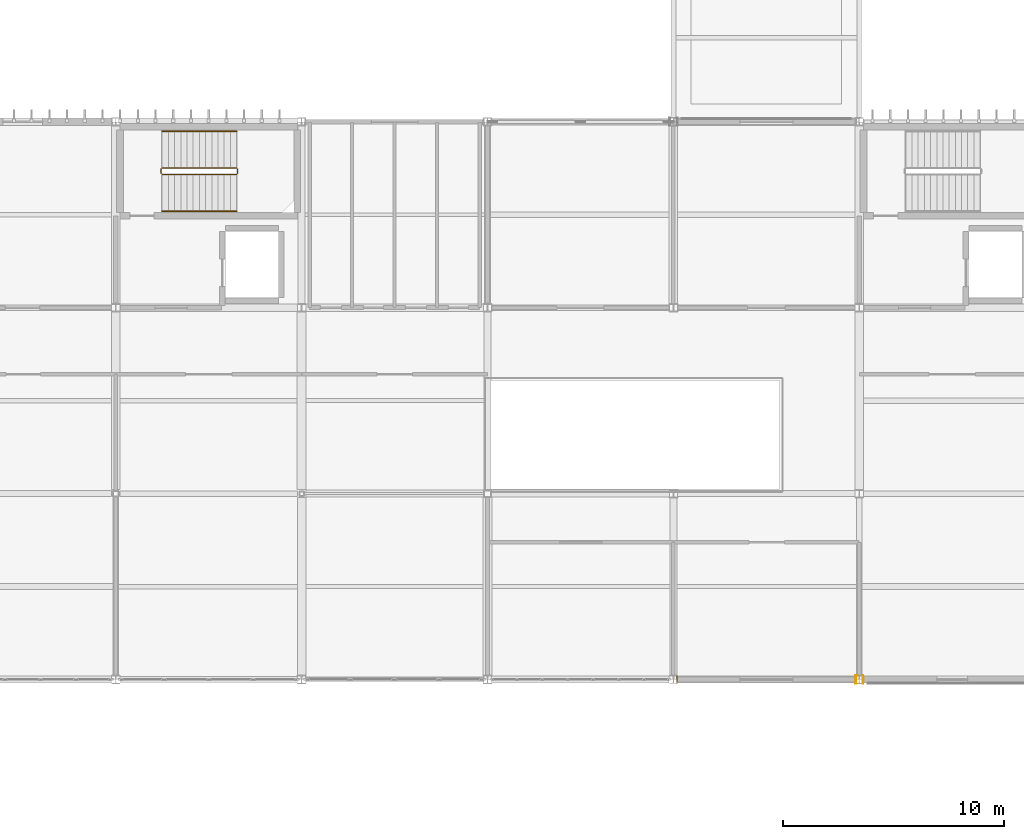
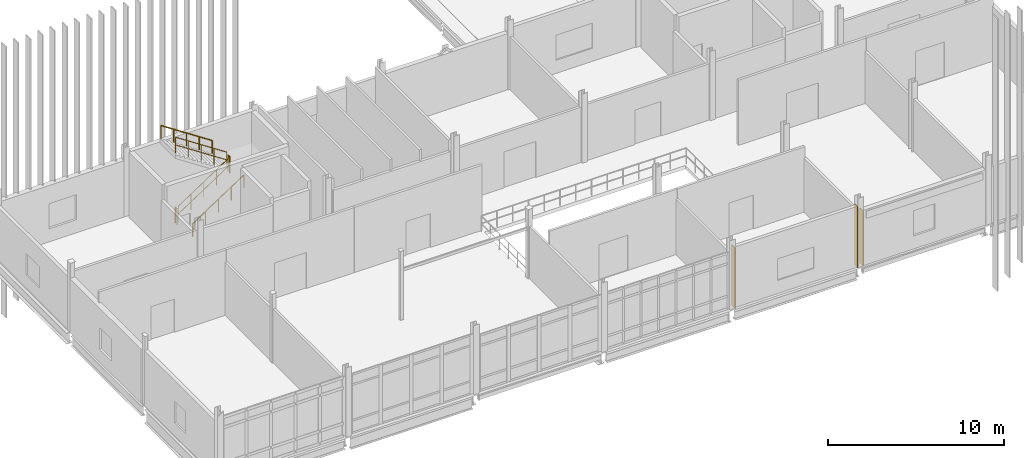
# One storey, part 59 of 72: 6 railings, 3 coverings.
"""IFC4 building model written with IfcOpenShell, lengths in metres."""

from ifc_helpers import new_model, si_unit, direction, frame, origin, origin_2d, place, context, subcontext, project, spatial, polyline, circle, outline, extrude, material, layer, layer_set, type_object, element, save


model = new_model("IFC4")

# Units and contexts
model_context = context("Model", 3, precision=1e-05, world=origin(), true_north=direction((0.0, 1.0)))
body_context = subcontext(model_context, "Body", "Model", "MODEL_VIEW")
ifc_project = project(units=[si_unit("LENGTHUNIT", "METRE"), si_unit("AREAUNIT", "SQUARE_METRE"), si_unit("VOLUMEUNIT", "CUBIC_METRE"), si_unit("PLANEANGLEUNIT", "RADIAN"), si_unit("MASSUNIT", "GRAM", prefix="KILO")], contexts=[model_context])

# Site, building, storey
site_placement = place(None, origin())
site = spatial("IfcSite", under=ifc_project, at=site_placement, CompositionType="ELEMENT")
building_placement = place(site_placement, origin())
building = spatial("IfcBuilding", under=site, at=building_placement, Name="Calvrana Isthmian Art Gallery", CompositionType="ELEMENT")
storey_placement = place(building_placement, frame((0.0, 0.0, 15.0)))
storey = spatial("IfcBuildingStorey", under=building, at=storey_placement, Name="L03", CompositionType="ELEMENT", Elevation=15.0)

# Coverings
ifc_material_1 = material(Name="Polychrome glazed terracotta", Category="masonry")
ifc_layer = layer(ifc_material_1, 0.0400390625, Name="Polychrome glazed terracotta")
ifc_layer_set = layer_set([ifc_layer], Name="Polychrome glazed terracotta")
covering_type = type_object("IfcCoveringType", Name="COV-CLAD-TERRA", PredefinedType="CLADDING", material=ifc_layer_set)
covering_1_placement = place(storey_placement, origin())
element("IfcCovering", 1, at=covering_1_placement, inside=storey, type_object=covering_type, Name="Column pocket weather closure L03-07-03-W", PredefinedType="CLADDING", context=body_context, shape_type="SweptSolid", body=[
    extrude(outline(polyline([(55.343994140625, 21.427001953125), (55.384033203125, 21.427001953125), (55.384033203125, 21.77294921875), (55.343994140625, 21.77294921875), (55.343994140625, 21.427001953125)])), origin(), (0.0, 0.0, 1.0), 4.215087890625),
])
covering_2_placement = place(storey_placement, origin())
element("IfcCovering", 2, at=covering_2_placement, inside=storey, type_object=covering_type, Name="Column pocket weather closure L03-07-03-E", PredefinedType="CLADDING", context=body_context, shape_type="SweptSolid", body=[
    extrude(outline(polyline([(63.41357421875, 21.41845703125), (63.45361328125, 21.41845703125), (63.45361328125, 21.781494140625), (63.41357421875, 21.781494140625), (63.41357421875, 21.41845703125)])), origin(), (0.0, 0.0, 1.0), 4.215087890625),
])
covering_3_placement = place(storey_placement, origin())
element("IfcCovering", 3, at=covering_3_placement, inside=storey, type_object=covering_type, Name="Column pocket weather closure L03-08-03-W", PredefinedType="CLADDING", context=body_context, shape_type="SweptSolid", body=[
    extrude(outline(polyline([(63.74658203125, 21.41845703125), (63.78662109375, 21.41845703125), (63.78662109375, 21.781494140625), (63.74658203125, 21.781494140625), (63.74658203125, 21.41845703125)])), origin(), (0.0, 0.0, 1.0), 3.826904296875),
])

# Railings
ifc_material_2 = material(Name="Stainless steel 316", Category="steel")
railing_type_1 = type_object("IfcRailingType", Name="RL-GUARD-1120", PredefinedType="BALUSTRADE", material=ifc_material_2)
railing_1_placement = place(storey_placement, frame((32.10009765625, 44.419921875, 0.1845703125)))
element("IfcRailing", 4, at=railing_1_placement, inside=storey, type_object=railing_type_1, Name="Stair ST-1 guard L03-1", PredefinedType="BALUSTRADE", context=body_context, shape_type="SweptSolid", body=[
    extrude(circle(Radius=0.02392578125, at=origin_2d()), frame((0.0, 0.0, 1.09619140625), z_axis=(0.834858096282, 0.0, 0.550465220583), x_axis=(0.0, 1.0, 0.0)), (0.0, 0.0, 1.0), 4.0244140625),
    extrude(circle(Radius=0.02392578125, at=origin_2d()), frame((0.0, 0.0, 0.56005859375), z_axis=(0.834858096282, 0.0, 0.550465220583), x_axis=(0.0, 1.0, 0.0)), (0.0, 0.0, 1.0), 4.0244140625),
    extrude(circle(Radius=0.02099609375, at=origin_2d()), origin(), (0.0, 0.0, 1.0), 1.072021484375),
    extrude(circle(Radius=0.02099609375, at=origin_2d()), frame((0.83984375, 0.0, 0.5537109375)), (0.0, 0.0, 1.0), 1.072021484375),
    extrude(circle(Radius=0.02099609375, at=origin_2d()), frame((1.679931640625, 0.0, 1.107666015625)), (0.0, 0.0, 1.0), 1.072021484375),
    extrude(circle(Radius=0.02099609375, at=origin_2d()), frame((2.52001953125, 0.0, 1.66162109375)), (0.0, 0.0, 1.0), 1.072021484375),
    extrude(circle(Radius=0.02099609375, at=origin_2d()), frame((3.35986328125, 0.0, 2.21533203125)), (0.0, 0.0, 1.0), 1.072021484375),
])
railing_2_placement = place(storey_placement, frame((35.510009765625, 44.469970703125, 2.39990234375)))
element("IfcRailing", 5, at=railing_2_placement, inside=storey, type_object=railing_type_1, Name="Stair ST-1 guard L03-2", PredefinedType="BALUSTRADE", context=body_context, shape_type="SweptSolid", body=[
    extrude(circle(Radius=0.02392578125, at=origin_2d()), frame((0.0, 0.0, 1.09619140625), z_axis=(0.0, 1.0, 0.0), x_axis=(-1.0, 0.0, 0.0)), (0.0, 0.0, 1.0), 0.199951171875),
    extrude(circle(Radius=0.02392578125, at=origin_2d()), frame((0.0, 0.0, 0.56005859375), z_axis=(0.0, 1.0, 0.0), x_axis=(-1.0, 0.0, 0.0)), (0.0, 0.0, 1.0), 0.199951171875),
    extrude(circle(Radius=0.02099609375, at=origin_2d()), origin(), (0.0, 0.0, 1.0), 1.072021484375),
    extrude(circle(Radius=0.02099609375, at=origin_2d()), frame((0.0, 0.199951171875, 0.0)), (0.0, 0.0, 1.0), 1.072021484375),
])
railing_3_placement = place(storey_placement, frame((35.4599609375, 44.719970703125, 2.584716796875)))
element("IfcRailing", 6, at=railing_3_placement, inside=storey, type_object=railing_type_1, Name="Stair ST-1 guard L03-3", PredefinedType="BALUSTRADE", context=body_context, shape_type="SweptSolid", body=[
    extrude(circle(Radius=0.02392578125, at=origin_2d()), frame((0.0, 0.0, 1.09619140625), z_axis=(-0.834858096282, 0.0, 0.550465220583), x_axis=(0.0, -1.0, 0.0)), (0.0, 0.0, 1.0), 4.0244140625),
    extrude(circle(Radius=0.02392578125, at=origin_2d()), frame((0.0, 0.0, 0.56005859375), z_axis=(-0.834858096282, 0.0, 0.550465220583), x_axis=(0.0, -1.0, 0.0)), (0.0, 0.0, 1.0), 4.0244140625),
    extrude(circle(Radius=0.02099609375, at=origin_2d()), origin(), (0.0, 0.0, 1.0), 1.072021484375),
    extrude(circle(Radius=0.02099609375, at=origin_2d()), frame((-0.83984375, 0.0, 0.5537109375)), (0.0, 0.0, 1.0), 1.072021484375),
    extrude(circle(Radius=0.02099609375, at=origin_2d()), frame((-1.679931640625, 0.0, 1.107666015625)), (0.0, 0.0, 1.0), 1.072021484375),
    extrude(circle(Radius=0.02099609375, at=origin_2d()), frame((-2.52001953125, 0.0, 1.66162109375)), (0.0, 0.0, 1.0), 1.072021484375),
    extrude(circle(Radius=0.02099609375, at=origin_2d()), frame((-3.35986328125, 0.0, 2.21533203125)), (0.0, 0.0, 1.0), 1.072021484375),
])
railing_4_placement = place(storey_placement, frame((32.050048828125, 44.469970703125, 0.0)))
element("IfcRailing", 7, at=railing_4_placement, inside=storey, type_object=railing_type_1, Name="Stair ST-1 guard L03-4", PredefinedType="BALUSTRADE", context=body_context, shape_type="SweptSolid", body=[
    extrude(circle(Radius=0.02392578125, at=origin_2d()), frame((0.0, 0.0, 1.09619140625), z_axis=(0.0, 1.0, 0.0), x_axis=(-1.0, 0.0, 0.0)), (0.0, 0.0, 1.0), 0.199951171875),
    extrude(circle(Radius=0.02392578125, at=origin_2d()), frame((0.0, 0.0, 0.56005859375), z_axis=(0.0, 1.0, 0.0), x_axis=(-1.0, 0.0, 0.0)), (0.0, 0.0, 1.0), 0.199951171875),
    extrude(circle(Radius=0.02099609375, at=origin_2d()), origin(), (0.0, 0.0, 1.0), 1.072021484375),
    extrude(circle(Radius=0.02099609375, at=origin_2d()), frame((0.0, 0.199951171875, 0.0)), (0.0, 0.0, 1.0), 1.072021484375),
])
railing_type_2 = type_object("IfcRailingType", Name="RL-HAND-920", PredefinedType="HANDRAIL", material=ifc_material_2)
railing_5_placement = place(storey_placement, frame((32.10009765625, 42.760009765625, 0.1845703125)))
element("IfcRailing", 8, at=railing_5_placement, inside=storey, type_object=railing_type_2, Name="Stair ST-1 handrail L03-1", PredefinedType="HANDRAIL", context=body_context, shape_type="SweptSolid", body=[
    extrude(circle(Radius=0.02392578125, at=origin_2d()), frame((0.0, 0.0, 0.89599609375), z_axis=(0.834858096282, 0.0, 0.550465220583), x_axis=(0.0, 1.0, 0.0)), (0.0, 0.0, 1.0), 4.0244140625),
    extrude(circle(Radius=0.02099609375, at=origin_2d()), origin(), (0.0, 0.0, 1.0), 0.871826171875),
    extrude(circle(Radius=0.02099609375, at=origin_2d()), frame((0.83984375, 0.0, 0.5537109375)), (0.0, 0.0, 1.0), 0.871826171875),
    extrude(circle(Radius=0.02099609375, at=origin_2d()), frame((1.679931640625, 0.0, 1.107666015625)), (0.0, 0.0, 1.0), 0.871826171875),
    extrude(circle(Radius=0.02099609375, at=origin_2d()), frame((2.52001953125, 0.0, 1.66162109375)), (0.0, 0.0, 1.0), 0.871826171875),
    extrude(circle(Radius=0.02099609375, at=origin_2d()), frame((3.35986328125, 0.0, 2.21533203125)), (0.0, 0.0, 1.0), 0.871826171875),
])
railing_6_placement = place(storey_placement, frame((35.4599609375, 46.3798828125, 2.584716796875)))
element("IfcRailing", 9, at=railing_6_placement, inside=storey, type_object=railing_type_2, Name="Stair ST-1 handrail L03-2", PredefinedType="HANDRAIL", context=body_context, shape_type="SweptSolid", body=[
    extrude(circle(Radius=0.02392578125, at=origin_2d()), frame((0.0, 0.0, 0.89599609375), z_axis=(-0.834858096282, 0.0, 0.550465220583), x_axis=(0.0, -1.0, 0.0)), (0.0, 0.0, 1.0), 4.0244140625),
    extrude(circle(Radius=0.02099609375, at=origin_2d()), origin(), (0.0, 0.0, 1.0), 0.871826171875),
    extrude(circle(Radius=0.02099609375, at=origin_2d()), frame((-0.83984375, 0.0, 0.5537109375)), (0.0, 0.0, 1.0), 0.871826171875),
    extrude(circle(Radius=0.02099609375, at=origin_2d()), frame((-1.679931640625, 0.0, 1.107666015625)), (0.0, 0.0, 1.0), 0.871826171875),
    extrude(circle(Radius=0.02099609375, at=origin_2d()), frame((-2.52001953125, 0.0, 1.66162109375)), (0.0, 0.0, 1.0), 0.871826171875),
    extrude(circle(Radius=0.02099609375, at=origin_2d()), frame((-3.35986328125, 0.0, 2.21533203125)), (0.0, 0.0, 1.0), 0.871826171875),
])

save(model, "model.ifc")
